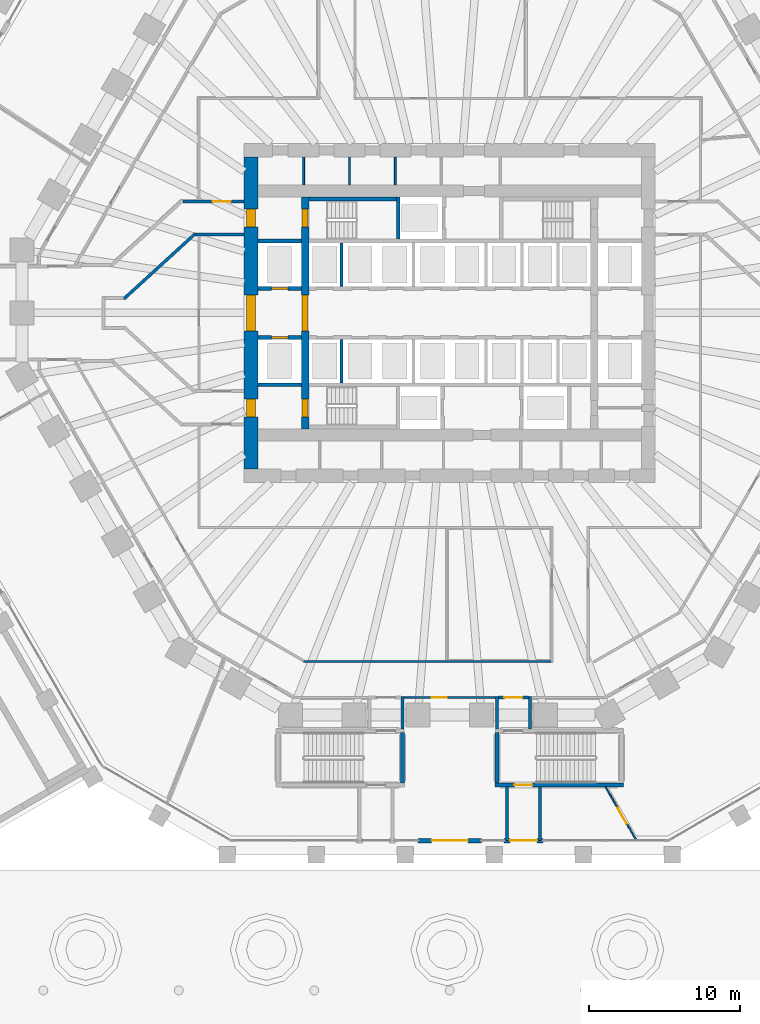
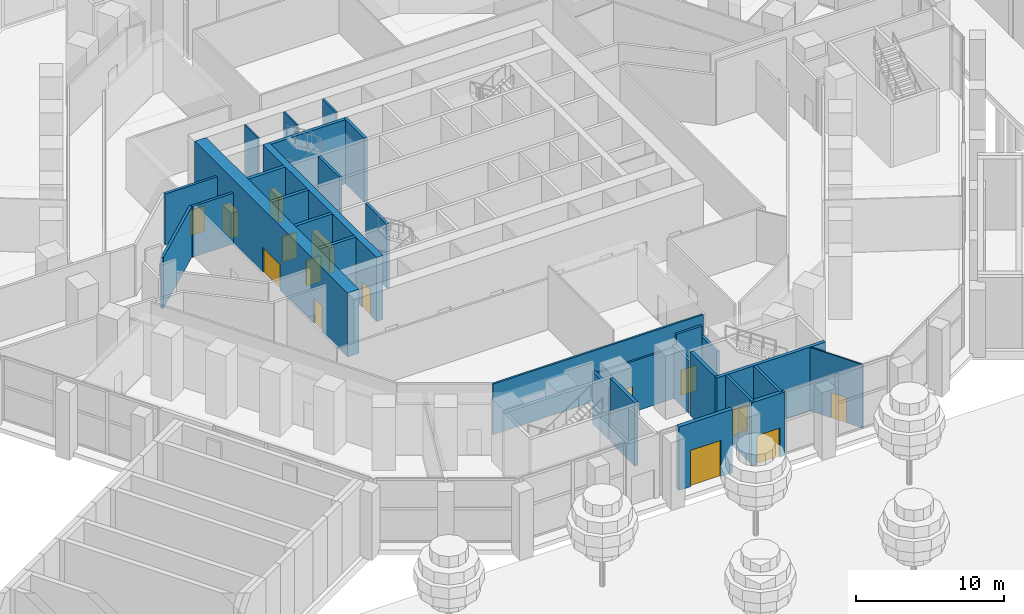
# One storey, part 18 of 44: 30 walls, 15 doors, 15 openings.
"""IFC4 building model written with IfcOpenShell, lengths in metres."""

from ifc_helpers import new_model, si_unit, direction, frame, frame_2d, origin, place, context, subcontext, project, spatial, rectangle, extrude, material, layer, layer_set, type_object, element, fill, save


model = new_model("IFC4")

# Units and contexts
model_context = context("Model", 3, precision=1e-05, world=origin(), true_north=direction((0.0, 1.0)))
body_context = subcontext(model_context, "Body", "Model", "MODEL_VIEW")
ifc_project = project(units=[si_unit("LENGTHUNIT", "METRE"), si_unit("AREAUNIT", "SQUARE_METRE"), si_unit("VOLUMEUNIT", "CUBIC_METRE"), si_unit("PLANEANGLEUNIT", "RADIAN"), si_unit("MASSUNIT", "GRAM", prefix="KILO")], contexts=[model_context])

# Site, building, storey
site_placement = place(None, origin())
site = spatial("IfcSite", under=ifc_project, at=site_placement, CompositionType="ELEMENT")
building_placement = place(site_placement, origin())
building = spatial("IfcBuilding", under=site, at=building_placement, Name="Frailejon Research Tower", CompositionType="ELEMENT")
storey_placement = place(building_placement, origin())
storey = spatial("IfcBuildingStorey", under=building, at=storey_placement, Name="L00", CompositionType="ELEMENT", Elevation=0.0)

# Walls
ifc_material_1 = material(Name="Plasterboard on steel studs", Category="steel")
ifc_layer_1 = layer(ifc_material_1, 0.125)
ifc_layer_set_1 = layer_set([ifc_layer_1], Name="Core partition 125")
wall_type_1 = type_object("IfcWallType", Name="Core partition 125", PredefinedType="PARTITIONING", material=ifc_layer_set_1)
for number, where, z_axis, x_axis, name in (
    (1, (-9.703125, 8.5, 0.0), (0.0, 0.0, 1.0), (0.0, 1.0, 0.0), "Core partition"),
    (2, (-6.65625, 8.5, 0.0), (0.0, 0.0, 1.0), (0.0, 1.0, 0.0), "Core partition"),
    (3, (-3.609375, 8.5, 0.0), (0.0, 0.0, 1.0), (0.0, 1.0, 0.0), "Core partition"),
):
    element("IfcWall", number, at=place(storey_placement, frame(where, z_axis=z_axis, x_axis=x_axis)), inside=storey, type_object=wall_type_1, Name=name, PredefinedType="PARTITIONING", context=body_context, shape_type="SweptSolid", body=[
        extrude(rectangle(XDim=1.85009765625, YDim=0.125, at=frame_2d((0.925048828125, 0.0))), origin(), (0.0, 0.0, 1.0), 5.300048828125),
    ])

# Wall, openings, doors
ifc_material_2 = material(Name="Concrete C70/85", Category="concrete")
ifc_layer_2 = layer(ifc_material_2, 0.5)
ifc_layer_set_2 = layer_set([ifc_layer_2], Name="Core shear wall 500 C70/85")
wall_type_2 = type_object("IfcWallType", Name="Core shear wall 500 C70/85", PredefinedType="SHEAR", material=ifc_layer_set_2)
wall_1_placement = place(storey_placement, frame((-9.60009765625, -7.699951171875, 0.0), z_axis=(0.0, 0.0, 1.0), x_axis=(0.0, 1.0, 0.0)))
wall_1 = element("IfcWall", 4, at=wall_1_placement, inside=storey, type_object=wall_type_2, Name="Core shear wall", PredefinedType="SHEAR", context=body_context, shape_type="SweptSolid", body=[
    extrude(rectangle(XDim=15.39990234375, YDim=0.5, at=frame_2d((7.699951171875, 0.0))), origin(), (0.0, 0.0, 1.0), 5.300048828125),
])
opening_1_placement = place(wall_1_placement, frame((6.5, 0.0, 0.0)))
opening_1 = element("IfcOpeningElement", 5, at=opening_1_placement, cuts=wall_1, Name="Opening D2", PredefinedType="OPENING", context=body_context, shape_type="SweptSolid", body=[
    extrude(rectangle(XDim=2.39990234375, YDim=2.10009765625, at=frame_2d((1.199951171875, 1.050048828125))), frame((0.0, 0.260009765625, 0.0), z_axis=(0.0, -1.0, 0.0), x_axis=(1.0, 0.0, 0.0)), (0.0, 0.0, 1.0), 0.52001953125),
])
opening_2_placement = place(wall_1_placement, frame((13.39990234375, 0.0, 0.0)))
opening_2 = element("IfcOpeningElement", 6, at=opening_2_placement, cuts=wall_1, Name="Opening D1", PredefinedType="OPENING", context=body_context, shape_type="SweptSolid", body=[
    extrude(rectangle(XDim=1.199951171875, YDim=2.10009765625, at=frame_2d((0.60009765625, 1.050048828125))), frame((0.0, 0.260009765625, 0.0), z_axis=(0.0, -1.0, 0.0), x_axis=(1.0, 0.0, 0.0)), (0.0, 0.0, 1.0), 0.52001953125),
])
opening_3_placement = place(wall_1_placement, frame((0.800048828125, 0.0, 0.0)))
opening_3 = element("IfcOpeningElement", 7, at=opening_3_placement, cuts=wall_1, Name="Opening D1", PredefinedType="OPENING", context=body_context, shape_type="SweptSolid", body=[
    extrude(rectangle(XDim=1.199951171875, YDim=2.10009765625, at=frame_2d((0.60009765625, 1.050048828125))), frame((0.0, 0.260009765625, 0.0), z_axis=(0.0, -1.0, 0.0), x_axis=(1.0, 0.0, 0.0)), (0.0, 0.0, 1.0), 0.52001953125),
])
ifc_material_3 = material(Name="Steel", Category="steel")
door_type_1 = type_object("IfcDoorType", Name="Lobby double door", OperationType="DOUBLE_DOOR_SINGLE_SWING", PredefinedType="DOOR", material=ifc_material_3)
door_1_placement = place(opening_1_placement, origin())
door_1 = element("IfcDoor", 8, at=door_1_placement, inside=storey, type_object=door_type_1, Name="Lobby door", OperationType="DOUBLE_DOOR_SINGLE_SWING", OverallHeight=2.10009765625, OverallWidth=2.39990234375, PredefinedType="DOOR", context=body_context, shape_type="SweptSolid", body=[
    extrude(rectangle(XDim=2.39990234375, YDim=2.10009765625, at=frame_2d((1.199951171875, 1.050048828125))), frame((0.0, 0.199951171875, 0.0), z_axis=(0.0, -1.0, 0.0), x_axis=(1.0, 0.0, 0.0)), (0.0, 0.0, 1.0), 0.39990234375),
])
fill(opening_1, door_1)
ifc_material_4 = material(Name="Steel", Category="steel")
door_type_2 = type_object("IfcDoorType", Name="Stair door", OperationType="SINGLE_SWING_LEFT", PredefinedType="DOOR", material=ifc_material_4)
door_2_placement = place(opening_2_placement, origin())
door_2 = element("IfcDoor", 9, at=door_2_placement, inside=storey, type_object=door_type_2, Name="Stair door ST1", OperationType="SINGLE_SWING_LEFT", OverallHeight=2.10009765625, OverallWidth=1.199951171875, PredefinedType="DOOR", context=body_context, shape_type="SweptSolid", body=[
    extrude(rectangle(XDim=1.199951171875, YDim=2.10009765625, at=frame_2d((0.60009765625, 1.050048828125))), frame((0.0, 0.199951171875, 0.0), z_axis=(0.0, -1.0, 0.0), x_axis=(1.0, 0.0, 0.0)), (0.0, 0.0, 1.0), 0.39990234375),
])
fill(opening_2, door_2)
door_3_placement = place(opening_3_placement, origin())
door_3 = element("IfcDoor", 10, at=door_3_placement, inside=storey, type_object=door_type_2, Name="Stair door ST2", OperationType="SINGLE_SWING_LEFT", OverallHeight=2.10009765625, OverallWidth=1.199951171875, PredefinedType="DOOR", context=body_context, shape_type="SweptSolid", body=[
    extrude(rectangle(XDim=1.199951171875, YDim=2.10009765625, at=frame_2d((0.60009765625, 1.050048828125))), frame((0.0, 0.199951171875, 0.0), z_axis=(0.0, -1.0, 0.0), x_axis=(1.0, 0.0, 0.0)), (0.0, 0.0, 1.0), 0.39990234375),
])
fill(opening_3, door_3)

ifc_material_5 = material(Name="Concrete C70/85", Category="concrete")
ifc_layer_3 = layer(ifc_material_5, 0.89990234375)
ifc_layer_set_3 = layer_set([ifc_layer_3], Name="Core shear wall 900 C70/85")
wall_type_3 = type_object("IfcWallType", Name="Core shear wall 900 C70/85", PredefinedType="SHEAR", material=ifc_layer_set_3)
wall_2_placement = place(storey_placement, frame((-13.199951171875, -10.35009765625, 0.0), z_axis=(0.0, 0.0, 1.0), x_axis=(0.0, 1.0, 0.0)))
wall_2 = element("IfcWall", 11, at=wall_2_placement, inside=storey, type_object=wall_type_3, Name="Core shear wall", PredefinedType="SHEAR", context=body_context, shape_type="SweptSolid", body=[
    extrude(rectangle(XDim=20.7001953125, YDim=0.89990234375, at=frame_2d((10.35009765625, 0.0))), origin(), (0.0, 0.0, 1.0), 5.300048828125),
])
opening_4_placement = place(wall_2_placement, frame((9.14990234375, 0.0, 0.0)))
opening_4 = element("IfcOpeningElement", 12, at=opening_4_placement, cuts=wall_2, Name="Opening D2", PredefinedType="OPENING", context=body_context, shape_type="SweptSolid", body=[
    extrude(rectangle(XDim=2.39990234375, YDim=2.10009765625, at=frame_2d((1.199951171875, 1.050048828125))), frame((0.0, 0.4599609375, 0.0), z_axis=(0.0, -1.0, 0.0), x_axis=(1.0, 0.0, 0.0)), (0.0, 0.0, 1.0), 0.919921875),
])
opening_5_placement = place(wall_2_placement, frame((16.050048828125, 0.0, 0.0)))
opening_5 = element("IfcOpeningElement", 13, at=opening_5_placement, cuts=wall_2, Name="Opening D7", PredefinedType="OPENING", context=body_context, shape_type="SweptSolid", body=[
    extrude(rectangle(XDim=1.199951171875, YDim=2.10009765625, at=frame_2d((0.60009765625, 1.050048828125))), frame((0.0, 0.4599609375, 0.0), z_axis=(0.0, -1.0, 0.0), x_axis=(1.0, 0.0, 0.0)), (0.0, 0.0, 1.0), 0.919921875),
])
opening_6_placement = place(wall_2_placement, frame((3.449951171875, 0.0, 0.0)))
opening_6 = element("IfcOpeningElement", 14, at=opening_6_placement, cuts=wall_2, Name="Opening D7", PredefinedType="OPENING", context=body_context, shape_type="SweptSolid", body=[
    extrude(rectangle(XDim=1.199951171875, YDim=2.10009765625, at=frame_2d((0.60009765625, 1.050048828125))), frame((0.0, 0.4599609375, 0.0), z_axis=(0.0, -1.0, 0.0), x_axis=(1.0, 0.0, 0.0)), (0.0, 0.0, 1.0), 0.919921875),
])
door_4_placement = place(opening_4_placement, origin())
door_4 = element("IfcDoor", 15, at=door_4_placement, inside=storey, type_object=door_type_1, Name="Lobby door", OperationType="DOUBLE_DOOR_SINGLE_SWING", OverallHeight=2.10009765625, OverallWidth=2.39990234375, PredefinedType="DOOR", context=body_context, shape_type="SweptSolid", body=[
    extrude(rectangle(XDim=2.39990234375, YDim=2.10009765625, at=frame_2d((1.199951171875, 1.050048828125))), frame((0.0, 0.300048828125, 0.0), z_axis=(0.0, -1.0, 0.0), x_axis=(1.0, 0.0, 0.0)), (0.0, 0.0, 1.0), 0.60009765625),
])
fill(opening_4, door_4)
ifc_material_6 = material(Name="Steel", Category="steel")
door_type_3 = type_object("IfcDoorType", Name="Stair exit door", OperationType="SINGLE_SWING_LEFT", PredefinedType="DOOR", material=ifc_material_6)
door_5_placement = place(opening_5_placement, origin())
door_5 = element("IfcDoor", 16, at=door_5_placement, inside=storey, type_object=door_type_3, Name="Stair exit door ST1", OperationType="SINGLE_SWING_RIGHT", OverallHeight=2.10009765625, OverallWidth=1.199951171875, PredefinedType="DOOR", context=body_context, shape_type="SweptSolid", body=[
    extrude(rectangle(XDim=1.199951171875, YDim=2.10009765625, at=frame_2d((0.60009765625, 1.050048828125))), frame((0.0, 0.300048828125, 0.0), z_axis=(0.0, -1.0, 0.0), x_axis=(1.0, 0.0, 0.0)), (0.0, 0.0, 1.0), 0.60009765625),
])
fill(opening_5, door_5)
door_6_placement = place(opening_6_placement, origin())
door_6 = element("IfcDoor", 17, at=door_6_placement, inside=storey, type_object=door_type_3, Name="Stair exit door ST2", OperationType="SINGLE_SWING_RIGHT", OverallHeight=2.10009765625, OverallWidth=1.199951171875, PredefinedType="DOOR", context=body_context, shape_type="SweptSolid", body=[
    extrude(rectangle(XDim=1.199951171875, YDim=2.10009765625, at=frame_2d((0.60009765625, 1.050048828125))), frame((0.0, 0.300048828125, 0.0), z_axis=(0.0, -1.0, 0.0), x_axis=(1.0, 0.0, 0.0)), (0.0, 0.0, 1.0), 0.60009765625),
])
fill(opening_6, door_6)

# Wall
ifc_material_7 = material(Name="Gypsum board and masonry partition", Category="masonry")
ifc_layer_4 = layer(ifc_material_7, 0.14990234375)
ifc_layer_set_4 = layer_set([ifc_layer_4], Name="Corridor wall EI 60, gypsum on steel studs 150")
wall_type_4 = type_object("IfcWallType", Name="Corridor wall EI 60, gypsum on steel studs 150", PredefinedType="PARTITIONING", material=ifc_layer_set_4)
wall_3_placement = place(storey_placement, frame((-9.70361328125, -23.14990234375, 0.0), z_axis=(0.0, 0.0, 1.0), x_axis=(1.0, 0.0, 0.0)))
element("IfcWall", 18, at=wall_3_placement, inside=storey, type_object=wall_type_4, Name="T:IW:L00:032", PredefinedType="PARTITIONING", context=body_context, shape_type="SweptSolid", body=[
    extrude(rectangle(XDim=16.4287109375, YDim=0.14990234375, at=frame_2d((8.21435546875, 0.0))), origin(), (0.0, 0.0, 1.0), 4.199951171875),
])

# Wall, opening, door
wall_4_placement = place(storey_placement, frame((-3.031982421875, -25.550048828125, 0.0), z_axis=(0.0, 0.0, 1.0), x_axis=(1.0, 0.0, 0.0)))
wall_4 = element("IfcWall", 19, at=wall_4_placement, inside=storey, type_object=wall_type_4, Name="T:IW:L00:034", PredefinedType="PARTITIONING", context=body_context, shape_type="SweptSolid", body=[
    extrude(rectangle(XDim=6.06396484375, YDim=0.14990234375, at=frame_2d((3.031982421875, 0.0))), origin(), (0.0, 0.0, 1.0), 4.199951171875),
])
opening_7_placement = place(wall_4_placement, frame((1.847412109375, 0.0, 0.0)))
opening_7 = element("IfcOpeningElement", 20, at=opening_7_placement, cuts=wall_4, Name="Opening D2432", PredefinedType="OPENING", context=body_context, shape_type="SweptSolid", body=[
    extrude(rectangle(XDim=1.0, YDim=2.10009765625, at=frame_2d((0.5, 1.050048828125))), frame((0.0, 0.0849609375, 0.0), z_axis=(0.0, -1.0, 0.0), x_axis=(1.0, 0.0, 0.0)), (0.0, 0.0, 1.0), 0.169921875),
])
ifc_material_8 = material(Name="Timber door leaf", Category="wood")
door_type_4 = type_object("IfcDoorType", Name="Door single leaf, timber, steel frame 1000", OperationType="NOTDEFINED", PredefinedType="DOOR", material=ifc_material_8)
door_7_placement = place(opening_7_placement, origin())
door_7 = element("IfcDoor", 21, at=door_7_placement, inside=storey, type_object=door_type_4, Name="D2432", OperationType="SINGLE_SWING_RIGHT", OverallHeight=2.10009765625, OverallWidth=1.0, PredefinedType="DOOR", context=body_context, shape_type="SweptSolid", body=[
    extrude(rectangle(XDim=1.0, YDim=2.10009765625, at=frame_2d((0.5, 1.050048828125))), frame((0.0, 0.02490234375, 0.0), z_axis=(0.0, -1.0, 0.0), x_axis=(1.0, 0.0, 0.0)), (0.0, 0.0, 1.0), 0.050048828125),
])
fill(opening_7, door_7)

ifc_material_9 = material(Name="Gypsum board and masonry partition", Category="masonry")
ifc_layer_5 = layer(ifc_material_9, 0.199951171875)
ifc_layer_set_5 = layer_set([ifc_layer_5], Name="Enclosure wall EI 120, blockwork 200")
wall_type_5 = type_object("IfcWallType", Name="Enclosure wall EI 120, blockwork 200", PredefinedType="PARTITIONING", material=ifc_layer_set_5)
wall_5_placement = place(storey_placement, frame((-17.7265625, 7.39990234375, 0.0), z_axis=(0.0, 0.0, 1.0), x_axis=(1.0, 0.0, 0.0)))
wall_5 = element("IfcWall", 22, at=wall_5_placement, inside=storey, type_object=wall_type_5, Name="T:IW:L00:045", PredefinedType="PARTITIONING", context=body_context, shape_type="SweptSolid", body=[
    extrude(rectangle(XDim=4.07666015625, YDim=0.199951171875, at=frame_2d((2.038330078125, 0.0))), origin(), (0.0, 0.0, 1.0), 4.199951171875),
])
opening_8_placement = place(wall_5_placement, frame((1.9765625, 0.0, 0.0)))
opening_8 = element("IfcOpeningElement", 23, at=opening_8_placement, cuts=wall_5, Name="Opening D1025", PredefinedType="OPENING", context=body_context, shape_type="SweptSolid", body=[
    extrude(rectangle(XDim=1.199951171875, YDim=2.10009765625, at=frame_2d((0.60009765625, 1.050048828125))), frame((0.0, 0.10986328125, 0.0), z_axis=(0.0, -1.0, 0.0), x_axis=(1.0, 0.0, 0.0)), (0.0, 0.0, 1.0), 0.219970703125),
])
ifc_material_10 = material(Name="Steel door leaf", Category="steel")
door_type_5 = type_object("IfcDoorType", Name="Door exit passage, steel, fire rated 1200", OperationType="NOTDEFINED", PredefinedType="DOOR", material=ifc_material_10)
door_8_placement = place(opening_8_placement, origin())
door_8 = element("IfcDoor", 24, at=door_8_placement, inside=storey, type_object=door_type_5, Name="D1025", OperationType="SINGLE_SWING_LEFT", OverallHeight=2.10009765625, OverallWidth=1.199951171875, PredefinedType="DOOR", context=body_context, shape_type="SweptSolid", body=[
    extrude(rectangle(XDim=1.199951171875, YDim=2.10009765625, at=frame_2d((0.60009765625, 1.050048828125))), frame((0.0, 0.02490234375, 0.0), z_axis=(0.0, -1.0, 0.0), x_axis=(1.0, 0.0, 0.0)), (0.0, 0.0, 1.0), 0.050048828125),
])
fill(opening_8, door_8)

# Wall
wall_6_placement = place(storey_placement, frame((-16.873291015625, 5.199951171875, 0.0), z_axis=(0.0, 0.0, 1.0), x_axis=(1.0, 0.0, 0.0)))
element("IfcWall", 25, at=wall_6_placement, inside=storey, type_object=wall_type_5, Name="T:IW:L00:055", PredefinedType="PARTITIONING", context=body_context, shape_type="SweptSolid", body=[
    extrude(rectangle(XDim=3.223388671875, YDim=0.199951171875, at=frame_2d((1.61181640625, 0.0))), origin(), (0.0, 0.0, 1.0), 4.199951171875),
])

# Wall, opening, door
wall_7_placement = place(storey_placement, frame((3.23193359375, -25.5498046875, 0.0), z_axis=(0.0, 0.0, 1.0), x_axis=(1.0, 0.0, 0.0)))
wall_7 = element("IfcWall", 26, at=wall_7_placement, inside=storey, type_object=wall_type_5, Name="T:IW:L00:062", PredefinedType="PARTITIONING", context=body_context, shape_type="SweptSolid", body=[
    extrude(rectangle(XDim=2.0, YDim=0.199951171875, at=frame_2d((1.0, 0.0))), origin(), (0.0, 0.0, 1.0), 5.25),
])
opening_9_placement = place(wall_7_placement, frame((1.599853515625, 0.0, 0.0), z_axis=(0.0, 0.0, 1.0), x_axis=(-1.0, 0.0, 0.0)))
opening_9 = element("IfcOpeningElement", 27, at=opening_9_placement, cuts=wall_7, Name="Opening PSD10", PredefinedType="OPENING", context=body_context, shape_type="SweptSolid", body=[
    extrude(rectangle(XDim=1.199951171875, YDim=2.10009765625, at=frame_2d((0.60009765625, 1.050048828125))), frame((0.0, 0.10986328125, 0.0), z_axis=(0.0, -1.0, 0.0), x_axis=(1.0, 0.0, 0.0)), (0.0, 0.0, 1.0), 0.219970703125),
])
door_9_placement = place(opening_9_placement, origin())
door_9 = element("IfcDoor", 28, at=door_9_placement, inside=storey, type_object=door_type_5, Name="PSD10", OperationType="SINGLE_SWING_LEFT", OverallHeight=2.10009765625, OverallWidth=1.199951171875, PredefinedType="DOOR", context=body_context, shape_type="SweptSolid", body=[
    extrude(rectangle(XDim=1.199951171875, YDim=2.10009765625, at=frame_2d((0.60009765625, 1.050048828125))), frame((0.0, 0.02490234375, 0.0), z_axis=(0.0, -1.0, 0.0), x_axis=(1.0, 0.0, 0.0)), (0.0, 0.0, 1.0), 0.050048828125),
])
fill(opening_9, door_9)

# Walls
wall_8_placement = place(storey_placement, frame((5.33203125, -27.625, 0.0), z_axis=(0.0, 0.0, 1.0), x_axis=(0.0, 1.0, 0.0)))
element("IfcWall", 29, at=wall_8_placement, inside=storey, type_object=wall_type_5, Name="T:IW:L00:069", PredefinedType="PARTITIONING", context=body_context, shape_type="SweptSolid", body=[
    extrude(rectangle(XDim=2.14990234375, YDim=0.199951171875, at=frame_2d((1.074951171875, 0.0))), origin(), (0.0, 0.0, 1.0), 4.35009765625),
])
wall_9_placement = place(storey_placement, frame((5.9970703125, -35.050048828125, 0.0), z_axis=(0.0, 0.0, 1.0), x_axis=(0.0, 1.0, 0.0)))
element("IfcWall", 30, at=wall_9_placement, inside=storey, type_object=wall_type_5, Name="T:IW:L00:071", PredefinedType="PARTITIONING", context=body_context, shape_type="SweptSolid", body=[
    extrude(rectangle(XDim=3.574951171875, YDim=0.199951171875, at=frame_2d((1.78759765625, 0.0))), origin(), (0.0, 0.0, 1.0), 5.25),
])
wall_10_placement = place(storey_placement, frame((-21.647216796875, 0.9326171875, 0.0), z_axis=(0.0, 0.0, 1.0), x_axis=(0.738503580816, 0.674249554039, 0.0)))
element("IfcWall", 31, at=wall_10_placement, inside=storey, type_object=wall_type_5, Name="T:IW:L00:076", PredefinedType="PARTITIONING", context=body_context, shape_type="SweptSolid", body=[
    extrude(rectangle(XDim=6.428955078125, YDim=0.199951171875, at=frame_2d((3.21435546875, 0.0))), origin(), (0.0, 0.0, 1.0), 4.199951171875),
])
for number, where, z_axis, x_axis, name in (
    (32, (-3.132080078125, -27.625, 0.0), (0.0, 0.0, 1.0), (0.0, 1.0, 0.0), "T:IW:L00:083"),
    (33, (3.132080078125, -27.625, 0.0), (0.0, 0.0, 1.0), (0.0, 1.0, 0.0), "T:IW:L00:087"),
):
    element("IfcWall", number, at=place(storey_placement, frame(where, z_axis=z_axis, x_axis=x_axis)), inside=storey, type_object=wall_type_5, Name=name, PredefinedType="PARTITIONING", context=body_context, shape_type="SweptSolid", body=[
        extrude(rectangle(XDim=2.14990234375, YDim=0.199951171875, at=frame_2d((1.074951171875, 0.0))), origin(), (0.0, 0.0, 1.0), 4.35009765625),
    ])
wall_11_placement = place(storey_placement, frame((3.797119140625, -35.050048828125, 0.0), z_axis=(0.0, 0.0, 1.0), x_axis=(0.0, 1.0, 0.0)))
element("IfcWall", 34, at=wall_11_placement, inside=storey, type_object=wall_type_5, Name="T:IW:L00:089", PredefinedType="PARTITIONING", context=body_context, shape_type="SweptSolid", body=[
    extrude(rectangle(XDim=3.574951171875, YDim=0.199951171875, at=frame_2d((1.78759765625, 0.0))), origin(), (0.0, 0.0, 1.0), 5.25),
])

# Wall, opening, door
ifc_material_11 = material(Name="Gypsum board and masonry partition", Category="masonry")
ifc_layer_6 = layer(ifc_material_11, 0.10009765625)
ifc_layer_set_6 = layer_set([ifc_layer_6], Name="Partition, gypsum on steel studs 100")
wall_type_6 = type_object("IfcWallType", Name="Partition, gypsum on steel studs 100", PredefinedType="PARTITIONING", material=ifc_layer_set_6)
wall_12_placement = place(storey_placement, frame((10.3359375, -31.458251953125, 0.0), z_axis=(0.0, 0.0, 1.0), x_axis=(0.50004186299, -0.866001232827, 0.0)))
wall_12 = element("IfcWall", 35, at=wall_12_placement, inside=storey, type_object=wall_type_6, Name="T:IW:L00:099", PredefinedType="PARTITIONING", context=body_context, shape_type="SweptSolid", body=[
    extrude(rectangle(XDim=4.124267578125, YDim=0.10009765625, at=frame_2d((2.06201171875, 0.0))), origin(), (0.0, 0.0, 1.0), 5.25),
])
opening_10_placement = place(wall_12_placement, frame((1.654541015625, 0.0, 0.0)))
opening_10 = element("IfcOpeningElement", 36, at=opening_10_placement, cuts=wall_12, Name="Opening D1016", PredefinedType="OPENING", context=body_context, shape_type="SweptSolid", body=[
    extrude(rectangle(XDim=1.199951171875, YDim=2.10009765625, at=frame_2d((0.60009765625, 1.050048828125))), frame((0.0, 0.06005859375, 0.0), z_axis=(0.0, -1.0, 0.0), x_axis=(1.0, 0.0, 0.0)), (0.0, 0.0, 1.0), 0.1201171875),
])
ifc_material_12 = material(Name="Timber door leaf", Category="wood")
door_type_6 = type_object("IfcDoorType", Name="Door single leaf, timber, steel frame 1200", OperationType="NOTDEFINED", PredefinedType="DOOR", material=ifc_material_12)
door_10_placement = place(opening_10_placement, origin())
door_10 = element("IfcDoor", 37, at=door_10_placement, inside=storey, type_object=door_type_6, Name="D1016", OperationType="DOUBLE_DOOR_SINGLE_SWING", OverallHeight=2.10009765625, OverallWidth=1.199951171875, PredefinedType="DOOR", context=body_context, shape_type="SweptSolid", body=[
    extrude(rectangle(XDim=1.199951171875, YDim=2.10009765625, at=frame_2d((0.60009765625, 1.050048828125))), frame((0.0, 0.02490234375, 0.0), z_axis=(0.0, -1.0, 0.0), x_axis=(1.0, 0.0, 0.0)), (0.0, 0.0, 1.0), 0.050048828125),
])
fill(opening_10, door_10)

ifc_material_13 = material(Name="Concrete C40/50 precast entrance pier", Category="concrete")
ifc_layer_7 = layer(ifc_material_13, 0.300048828125)
ifc_layer_set_7 = layer_set([ifc_layer_7], Name="Podium entrance wall 300")
wall_type_7 = type_object("IfcWallType", Name="Podium entrance wall 300", PredefinedType="SOLIDWALL", material=ifc_layer_set_7)
wall_13_placement = place(storey_placement, frame((-2.10009765625, -35.050048828125, 0.0), z_axis=(0.0, 0.0, 1.0), x_axis=(1.0, 0.0, 0.0)))
wall_13 = element("IfcWall", 38, at=wall_13_placement, inside=storey, type_object=wall_type_7, Name="Entrance pier L00", PredefinedType="SOLIDWALL", context=body_context, shape_type="SweptSolid", body=[
    extrude(rectangle(XDim=4.2001953125, YDim=0.300048828125, at=frame_2d((2.10009765625, 0.0))), origin(), (0.0, 0.0, 1.0), 5.25),
])
opening_11_placement = place(wall_13_placement, frame((0.89990234375, 0.0, 0.0)))
opening_11 = element("IfcOpeningElement", 39, at=opening_11_placement, cuts=wall_13, Name="Opening EN-5", PredefinedType="OPENING", context=body_context, shape_type="SweptSolid", body=[
    extrude(rectangle(XDim=2.39990234375, YDim=3.0, at=frame_2d((1.199951171875, 1.5))), frame((0.0, 0.159912109375, 0.0), z_axis=(0.0, -1.0, 0.0), x_axis=(1.0, 0.0, 0.0)), (0.0, 0.0, 1.0), 0.320068359375),
])
ifc_material_14 = material(Name="Aluminium framed glazed door leaf", Category="aluminium")
door_type_7 = type_object("IfcDoorType", Name="Entrance door 2400x3000", OperationType="DOUBLE_DOOR_SINGLE_SWING", PredefinedType="DOOR", material=ifc_material_14)
door_11_placement = place(opening_11_placement, origin())
door_11 = element("IfcDoor", 40, at=door_11_placement, inside=storey, type_object=door_type_7, Name="Door EN-5", OperationType="DOUBLE_DOOR_SINGLE_SWING", OverallHeight=3.0, OverallWidth=2.39990234375, PredefinedType="DOOR", context=body_context, shape_type="SweptSolid", body=[
    extrude(rectangle(XDim=2.39990234375, YDim=3.0, at=frame_2d((1.199951171875, 1.5))), frame((0.0, 0.02490234375, 0.0), z_axis=(0.0, -1.0, 0.0), x_axis=(1.0, 0.0, 0.0)), (0.0, 0.0, 1.0), 0.050048828125),
])
fill(opening_11, door_11)

ifc_material_15 = material(Name="Concrete C40/50 precast exit pier", Category="concrete")
ifc_layer_8 = layer(ifc_material_15, 0.300048828125)
ifc_layer_set_8 = layer_set([ifc_layer_8], Name="Podium exit wall 300")
wall_type_8 = type_object("IfcWallType", Name="Podium exit wall 300", PredefinedType="SOLIDWALL", material=ifc_layer_set_8)
wall_14_placement = place(storey_placement, frame((3.596923828125, -35.050048828125, 0.0), z_axis=(0.0, 0.0, 1.0), x_axis=(1.0, 0.0, 0.0)))
wall_14 = element("IfcWall", 41, at=wall_14_placement, inside=storey, type_object=wall_type_8, Name="Exit pier L00", PredefinedType="SOLIDWALL", context=body_context, shape_type="SweptSolid", body=[
    extrude(rectangle(XDim=2.60009765625, YDim=0.300048828125, at=frame_2d((1.300048828125, 0.0))), origin(), (0.0, 0.0, 1.0), 5.25),
])
opening_12_placement = place(wall_14_placement, frame((2.199951171875, 0.0, 0.0), z_axis=(0.0, 0.0, 1.0), x_axis=(-1.0, 0.0, 0.0)))
opening_12 = element("IfcOpeningElement", 42, at=opening_12_placement, cuts=wall_14, Name="Opening FE-7", PredefinedType="OPENING", context=body_context, shape_type="SweptSolid", body=[
    extrude(rectangle(XDim=1.800048828125, YDim=2.39990234375, at=frame_2d((0.89990234375, 1.199951171875))), frame((0.0, 0.159912109375, 0.0), z_axis=(0.0, -1.0, 0.0), x_axis=(1.0, 0.0, 0.0)), (0.0, 0.0, 1.0), 0.320068359375),
])
ifc_material_16 = material(Name="Aluminium framed glazed door leaf", Category="aluminium")
door_type_8 = type_object("IfcDoorType", Name="Final exit door 1800x2400", OperationType="DOUBLE_DOOR_SINGLE_SWING", PredefinedType="DOOR", material=ifc_material_16)
door_12_placement = place(opening_12_placement, origin())
door_12 = element("IfcDoor", 43, at=door_12_placement, inside=storey, type_object=door_type_8, Name="Door FE-7", OperationType="DOUBLE_DOOR_SINGLE_SWING", OverallHeight=2.39990234375, OverallWidth=1.800048828125, PredefinedType="DOOR", context=body_context, shape_type="SweptSolid", body=[
    extrude(rectangle(XDim=1.800048828125, YDim=2.39990234375, at=frame_2d((0.89990234375, 1.199951171875))), frame((0.0, 0.02490234375, 0.0), z_axis=(0.0, -1.0, 0.0), x_axis=(1.0, 0.0, 0.0)), (0.0, 0.0, 1.0), 0.050048828125),
])
fill(opening_12, door_12)

# Walls
ifc_material_17 = material(Name="Concrete C70/85", Category="concrete")
ifc_layer_9 = layer(ifc_material_17, 0.199951171875)
ifc_layer_set_9 = layer_set([ifc_layer_9], Name="Shaft wall 200 C70/85")
wall_type_9 = type_object("IfcWallType", Name="Shaft wall 200 C70/85", PredefinedType="SOLIDWALL", material=ifc_layer_set_9)
for number, where, z_axis, x_axis, name in (
    (44, (-7.199951171875, 1.75, 0.0), (0.0, 0.0, 1.0), (0.0, 1.0, 0.0), "Shaft wall"),
    (45, (-7.199951171875, -4.64990234375, 0.0), (0.0, 0.0, 1.0), (0.0, 1.0, 0.0), "Shaft wall"),
):
    element("IfcWall", number, at=place(storey_placement, frame(where, z_axis=z_axis, x_axis=x_axis)), inside=storey, type_object=wall_type_9, Name=name, PredefinedType="SOLIDWALL", context=body_context, shape_type="SweptSolid", body=[
        extrude(rectangle(XDim=2.89990234375, YDim=0.199951171875, at=frame_2d((1.449951171875, 0.0))), origin(), (0.0, 0.0, 1.0), 5.300048828125),
    ])

# Wall, opening, door
ifc_material_18 = material(Name="Concrete C70/85", Category="concrete")
ifc_layer_10 = layer(ifc_material_18, 0.25)
ifc_layer_set_10 = layer_set([ifc_layer_10], Name="Shaft wall 250 C70/85")
wall_type_10 = type_object("IfcWallType", Name="Shaft wall 250 C70/85", PredefinedType="SOLIDWALL", material=ifc_layer_set_10)
wall_15_placement = place(storey_placement, frame((-12.75, 1.625, 0.0), z_axis=(0.0, 0.0, 1.0), x_axis=(1.0, 0.0, 0.0)))
wall_15 = element("IfcWall", 46, at=wall_15_placement, inside=storey, type_object=wall_type_10, Name="Shaft wall", PredefinedType="SOLIDWALL", context=body_context, shape_type="SweptSolid", body=[
    extrude(rectangle(XDim=2.89990234375, YDim=0.25, at=frame_2d((1.449951171875, 0.0))), origin(), (0.0, 0.0, 1.0), 5.300048828125),
])
opening_13_placement = place(wall_15_placement, frame((0.89990234375, 0.0, 0.0)))
opening_13 = element("IfcOpeningElement", 47, at=opening_13_placement, cuts=wall_15, Name="Opening LD", PredefinedType="OPENING", context=body_context, shape_type="SweptSolid", body=[
    extrude(rectangle(XDim=1.10009765625, YDim=2.10009765625, at=frame_2d((0.550048828125, 1.050048828125))), frame((0.0, 0.135009765625, 0.0), z_axis=(0.0, -1.0, 0.0), x_axis=(1.0, 0.0, 0.0)), (0.0, 0.0, 1.0), 0.27001953125),
])
ifc_material_19 = material(Name="Steel", Category="steel")
door_type_9 = type_object("IfcDoorType", Name="Lift landing door", OperationType="DOUBLE_DOOR_SLIDING", PredefinedType="DOOR", material=ifc_material_19)
door_13_placement = place(opening_13_placement, origin())
door_13 = element("IfcDoor", 48, at=door_13_placement, inside=storey, type_object=door_type_9, Name="Lift landing door", OperationType="DOUBLE_DOOR_SLIDING", OverallHeight=2.10009765625, OverallWidth=1.10009765625, PredefinedType="DOOR", context=body_context, shape_type="SweptSolid", body=[
    extrude(rectangle(XDim=1.10009765625, YDim=2.10009765625, at=frame_2d((0.550048828125, 1.050048828125))), frame((0.0, 0.074951171875, 0.0), z_axis=(0.0, -1.0, 0.0), x_axis=(1.0, 0.0, 0.0)), (0.0, 0.0, 1.0), 0.14990234375),
])
fill(opening_13, door_13)

# Wall
wall_16_placement = place(storey_placement, frame((-12.75, 4.77490234375, 0.0), z_axis=(0.0, 0.0, 1.0), x_axis=(1.0, 0.0, 0.0)))
element("IfcWall", 49, at=wall_16_placement, inside=storey, type_object=wall_type_10, Name="Shaft wall", PredefinedType="SOLIDWALL", context=body_context, shape_type="SweptSolid", body=[
    extrude(rectangle(XDim=2.89990234375, YDim=0.25, at=frame_2d((1.449951171875, 0.0))), origin(), (0.0, 0.0, 1.0), 5.300048828125),
])

# Wall, opening, door
wall_17_placement = place(storey_placement, frame((-12.75, -1.625, 0.0), z_axis=(0.0, 0.0, 1.0), x_axis=(1.0, 0.0, 0.0)))
wall_17 = element("IfcWall", 50, at=wall_17_placement, inside=storey, type_object=wall_type_10, Name="Shaft wall", PredefinedType="SOLIDWALL", context=body_context, shape_type="SweptSolid", body=[
    extrude(rectangle(XDim=2.89990234375, YDim=0.25, at=frame_2d((1.449951171875, 0.0))), origin(), (0.0, 0.0, 1.0), 5.300048828125),
])
opening_14_placement = place(wall_17_placement, frame((0.89990234375, 0.0, 0.0)))
opening_14 = element("IfcOpeningElement", 51, at=opening_14_placement, cuts=wall_17, Name="Opening LD", PredefinedType="OPENING", context=body_context, shape_type="SweptSolid", body=[
    extrude(rectangle(XDim=1.10009765625, YDim=2.10009765625, at=frame_2d((0.550048828125, 1.050048828125))), frame((0.0, 0.135009765625, 0.0), z_axis=(0.0, -1.0, 0.0), x_axis=(1.0, 0.0, 0.0)), (0.0, 0.0, 1.0), 0.27001953125),
])
door_14_placement = place(opening_14_placement, origin())
door_14 = element("IfcDoor", 52, at=door_14_placement, inside=storey, type_object=door_type_9, Name="Lift landing door", OperationType="DOUBLE_DOOR_SLIDING", OverallHeight=2.10009765625, OverallWidth=1.10009765625, PredefinedType="DOOR", context=body_context, shape_type="SweptSolid", body=[
    extrude(rectangle(XDim=1.10009765625, YDim=2.10009765625, at=frame_2d((0.550048828125, 1.050048828125))), frame((0.0, 0.074951171875, 0.0), z_axis=(0.0, -1.0, 0.0), x_axis=(1.0, 0.0, 0.0)), (0.0, 0.0, 1.0), 0.14990234375),
])
fill(opening_14, door_14)

# Walls
wall_18_placement = place(storey_placement, frame((-12.75, -4.77490234375, 0.0), z_axis=(0.0, 0.0, 1.0), x_axis=(1.0, 0.0, 0.0)))
element("IfcWall", 53, at=wall_18_placement, inside=storey, type_object=wall_type_10, Name="Shaft wall", PredefinedType="SOLIDWALL", context=body_context, shape_type="SweptSolid", body=[
    extrude(rectangle(XDim=2.89990234375, YDim=0.25, at=frame_2d((1.449951171875, 0.0))), origin(), (0.0, 0.0, 1.0), 5.300048828125),
])
wall_19_placement = place(storey_placement, frame((-9.35009765625, 7.574951171875, 0.0), z_axis=(0.0, 0.0, 1.0), x_axis=(1.0, 0.0, 0.0)))
element("IfcWall", 54, at=wall_19_placement, inside=storey, type_object=wall_type_10, Name="Shaft wall", PredefinedType="SOLIDWALL", context=body_context, shape_type="SweptSolid", body=[
    extrude(rectangle(XDim=5.800048828125, YDim=0.25, at=frame_2d((2.89990234375, 0.0))), origin(), (0.0, 0.0, 1.0), 5.300048828125),
])
wall_20_placement = place(storey_placement, frame((-3.425048828125, 4.89990234375, 0.0), z_axis=(0.0, 0.0, 1.0), x_axis=(0.0, 1.0, 0.0)))
element("IfcWall", 55, at=wall_20_placement, inside=storey, type_object=wall_type_10, Name="Shaft wall", PredefinedType="SOLIDWALL", context=body_context, shape_type="SweptSolid", body=[
    extrude(rectangle(XDim=2.800048828125, YDim=0.25, at=frame_2d((1.39990234375, 0.0))), origin(), (0.0, 0.0, 1.0), 5.300048828125),
])
ifc_material_20 = material(Name="Concrete C50/60", Category="concrete")
ifc_layer_11 = layer(ifc_material_20, 0.25)
ifc_layer_set_11 = layer_set([ifc_layer_11], Name="Stair enclosure wall EI 120, Concrete C50/60 250")
wall_type_11 = type_object("IfcWallType", Name="Stair enclosure wall EI 120, Concrete C50/60 250", PredefinedType="SOLIDWALL", material=ifc_layer_set_11)
for number, where, z_axis, x_axis, name in (
    (56, (-3.132080078125, -31.22509765625, 0.0), (0.0, 0.0, 1.0), (0.0, 1.0, 0.0), "T:IW:L00:106"),
    (57, (3.132080078125, -31.22509765625, 0.0), (0.0, 0.0, 1.0), (0.0, 1.0, 0.0), "T:IW:L00:110"),
):
    element("IfcWall", number, at=place(storey_placement, frame(where, z_axis=z_axis, x_axis=x_axis)), inside=storey, type_object=wall_type_11, Name=name, PredefinedType="SOLIDWALL", context=body_context, shape_type="SweptSolid", body=[
        extrude(rectangle(XDim=3.35009765625, YDim=0.25, at=frame_2d((1.675048828125, 0.0))), origin(), (0.0, 0.0, 1.0), 5.25),
    ])

# Wall, opening, door
wall_21_placement = place(storey_placement, frame((3.021728515625, -31.35009765625, 0.0), z_axis=(0.0, 0.0, 1.0), x_axis=(1.0, 0.0, 0.0)))
wall_21 = element("IfcWall", 58, at=wall_21_placement, inside=storey, type_object=wall_type_11, Name="T:IW:L00:117", PredefinedType="SOLIDWALL", context=body_context, shape_type="SweptSolid", body=[
    extrude(rectangle(XDim=8.505126953125, YDim=0.25, at=frame_2d((4.25244140625, 0.0))), origin(), (0.0, 0.0, 1.0), 5.25),
])
opening_15_placement = place(wall_21_placement, frame((2.47509765625, 0.0, 0.0), z_axis=(0.0, 0.0, 1.0), x_axis=(-1.0, 0.0, 0.0)))
opening_15 = element("IfcOpeningElement", 59, at=opening_15_placement, cuts=wall_21, Name="Opening PSD12", PredefinedType="OPENING", context=body_context, shape_type="SweptSolid", body=[
    extrude(rectangle(XDim=1.199951171875, YDim=2.10009765625, at=frame_2d((0.60009765625, 1.050048828125))), frame((0.0, 0.135009765625, 0.0), z_axis=(0.0, -1.0, 0.0), x_axis=(1.0, 0.0, 0.0)), (0.0, 0.0, 1.0), 0.27001953125),
])
door_15_placement = place(opening_15_placement, origin())
door_15 = element("IfcDoor", 60, at=door_15_placement, inside=storey, type_object=door_type_5, Name="PSD12", OperationType="SINGLE_SWING_LEFT", OverallHeight=2.10009765625, OverallWidth=1.199951171875, PredefinedType="DOOR", context=body_context, shape_type="SweptSolid", body=[
    extrude(rectangle(XDim=1.199951171875, YDim=2.10009765625, at=frame_2d((0.60009765625, 1.050048828125))), frame((0.0, 0.02490234375, 0.0), z_axis=(0.0, -1.0, 0.0), x_axis=(1.0, 0.0, 0.0)), (0.0, 0.0, 1.0), 0.050048828125),
])
fill(opening_15, door_15)

save(model, "model.ifc")
